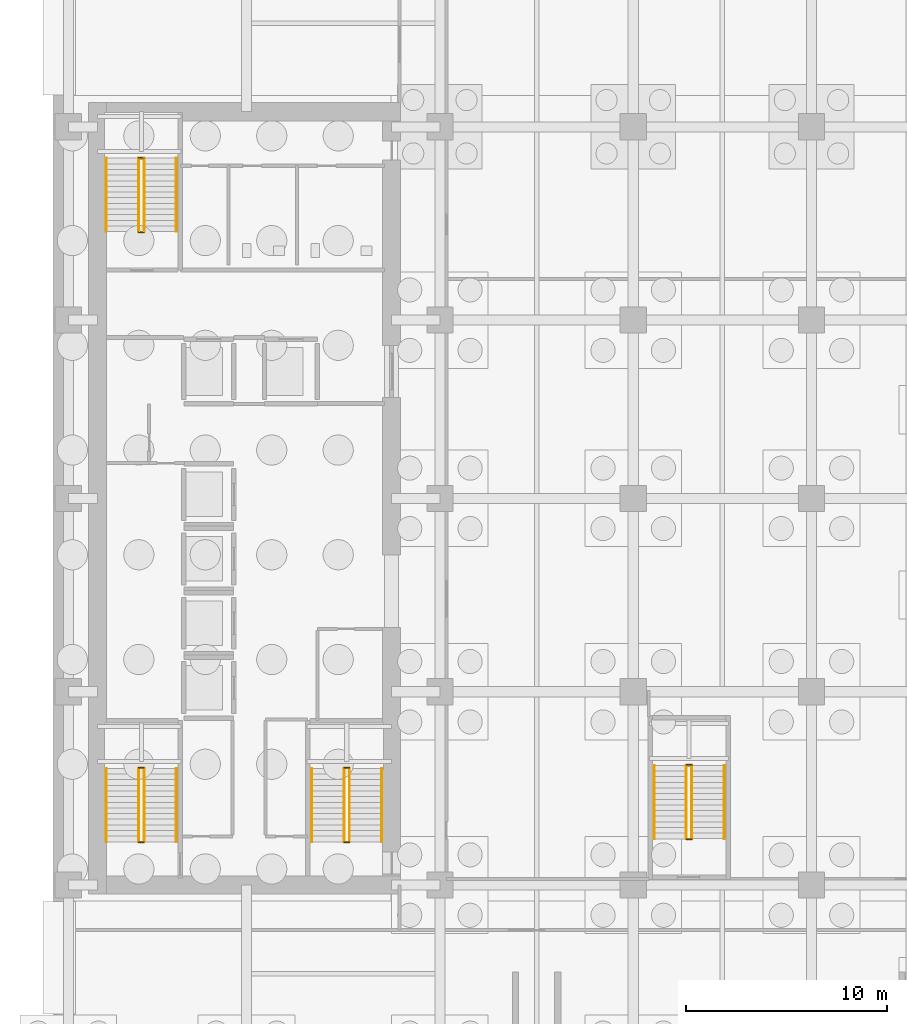
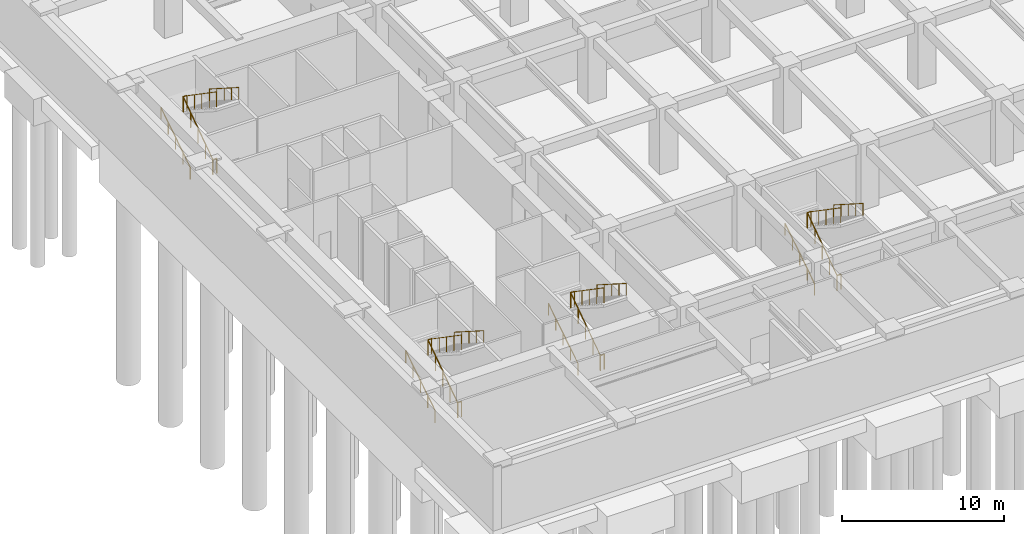
# One storey, part 16 of 20: 24 railings.
"""IFC4 building model written with IfcOpenShell, lengths in metres."""

from ifc_helpers import new_model, si_unit, direction, frame, origin, origin_2d, place, context, subcontext, project, spatial, circle, extrude, material, type_object, element, save


model = new_model("IFC4")

# Units and contexts
model_context = context("Model", 3, precision=1e-05, world=origin(), true_north=direction((0.0, 1.0)))
body_context = subcontext(model_context, "Body", "Model", "MODEL_VIEW")
ifc_project = project(units=[si_unit("LENGTHUNIT", "METRE"), si_unit("AREAUNIT", "SQUARE_METRE"), si_unit("VOLUMEUNIT", "CUBIC_METRE"), si_unit("PLANEANGLEUNIT", "RADIAN"), si_unit("MASSUNIT", "GRAM", prefix="KILO")], contexts=[model_context])

# Site, building, storey
site_placement = place(None, origin())
site = spatial("IfcSite", under=ifc_project, at=site_placement, CompositionType="ELEMENT")
building_placement = place(site_placement, origin())
building = spatial("IfcBuilding", under=site, at=building_placement, Name="Norrvale University Quadrangle", CompositionType="ELEMENT")
storey_placement = place(building_placement, frame((0.0, 0.0, -5.0)))
storey = spatial("IfcBuildingStorey", under=building, at=storey_placement, Name="B01", CompositionType="ELEMENT", Elevation=-5.0)

# Railings
ifc_material_1 = material(Name="Steel 350W Painted Balustrade", Category="steel")
railing_type_1 = type_object("IfcRailingType", Name="Railing Stair Guard 1100", PredefinedType="GUARDRAIL", material=ifc_material_1)
for number, where, name in (
    (1, (4.239990234375, 11.719970703125, 0.0), "Stair Floor Well Guard ST-01 B01"),
    (2, (4.239990234375, 15.419921875, 2.5), "Stair Mid-Landing Slot Guard ST-01 B01"),
):
    element("IfcRailing", number, at=place(storey_placement, frame(where)), inside=storey, type_object=railing_type_1, Name=name, PredefinedType="GUARDRAIL", context=body_context, shape_type="SweptSolid", body=[
        extrude(circle(Radius=0.02392578125, at=origin_2d()), frame((0.0, 0.0, 1.1259765625), z_axis=(1.0, 0.0, 0.0), x_axis=(0.0, 1.0, 0.0)), (0.0, 0.0, 1.0), 0.27001953125),
        extrude(circle(Radius=0.02099609375, at=origin_2d()), origin(), (0.0, 0.0, 1.0), 1.101806640625),
        extrude(circle(Radius=0.02099609375, at=origin_2d()), frame((0.27001953125, 0.0, 0.0)), (0.0, 0.0, 1.0), 1.101806640625),
    ])
railing_1_placement = place(storey_placement, frame((4.239990234375, 11.75, 0.0)))
element("IfcRailing", 3, at=railing_1_placement, inside=storey, type_object=railing_type_1, Name="Stair Lower Flight Inner Guard ST-01 B01", PredefinedType="GUARDRAIL", context=body_context, shape_type="SweptSolid", body=[
    extrude(circle(Radius=0.02392578125, at=origin_2d()), frame((0.0, 0.0, 1.1259765625), z_axis=(0.0, 0.824298337968, 0.566155676491), x_axis=(-1.0, 0.0, 0.0)), (0.0, 0.0, 1.0), 4.415771484375),
    extrude(circle(Radius=0.02099609375, at=origin_2d()), origin(), (0.0, 0.0, 1.0), 1.101806640625),
    extrude(circle(Radius=0.02099609375, at=origin_2d()), frame((0.0, 0.909912109375, 0.625)), (0.0, 0.0, 1.0), 1.101806640625),
    extrude(circle(Radius=0.02099609375, at=origin_2d()), frame((0.0, 1.81982421875, 1.25)), (0.0, 0.0, 1.0), 1.101806640625),
    extrude(circle(Radius=0.02099609375, at=origin_2d()), frame((0.0, 2.72998046875, 1.875)), (0.0, 0.0, 1.0), 1.101806640625),
    extrude(circle(Radius=0.02099609375, at=origin_2d()), frame((0.0, 3.639892578125, 2.5)), (0.0, 0.0, 1.0), 1.101806640625),
])
railing_2_placement = place(storey_placement, frame((4.510009765625, 15.389892578125, 2.5)))
element("IfcRailing", 4, at=railing_2_placement, inside=storey, type_object=railing_type_1, Name="Stair Upper Flight Inner Guard ST-01 B01", PredefinedType="GUARDRAIL", context=body_context, shape_type="SweptSolid", body=[
    extrude(circle(Radius=0.02392578125, at=origin_2d()), frame((0.0, 0.0, 1.1259765625), z_axis=(0.0, -0.824298337968, 0.566155676491), x_axis=(1.0, 0.0, 0.0)), (0.0, 0.0, 1.0), 4.415771484375),
    extrude(circle(Radius=0.02099609375, at=origin_2d()), origin(), (0.0, 0.0, 1.0), 1.101806640625),
    extrude(circle(Radius=0.02099609375, at=origin_2d()), frame((0.0, -0.909912109375, 0.625)), (0.0, 0.0, 1.0), 1.101806640625),
    extrude(circle(Radius=0.02099609375, at=origin_2d()), frame((0.0, -1.81982421875, 1.25)), (0.0, 0.0, 1.0), 1.101806640625),
    extrude(circle(Radius=0.02099609375, at=origin_2d()), frame((0.0, -2.72998046875, 1.875)), (0.0, 0.0, 1.0), 1.101806640625),
    extrude(circle(Radius=0.02099609375, at=origin_2d()), frame((0.0, -3.639892578125, 2.5)), (0.0, 0.0, 1.0), 1.101806640625),
])
for number, where, name in (
    (5, (4.239990234375, 42.02001953125, 0.0), "Stair Floor Well Guard ST-02 B01"),
    (6, (4.239990234375, 45.719970703125, 2.5), "Stair Mid-Landing Slot Guard ST-02 B01"),
):
    element("IfcRailing", number, at=place(storey_placement, frame(where)), inside=storey, type_object=railing_type_1, Name=name, PredefinedType="GUARDRAIL", context=body_context, shape_type="SweptSolid", body=[
        extrude(circle(Radius=0.02392578125, at=origin_2d()), frame((0.0, 0.0, 1.1259765625), z_axis=(1.0, 0.0, 0.0), x_axis=(0.0, 1.0, 0.0)), (0.0, 0.0, 1.0), 0.27001953125),
        extrude(circle(Radius=0.02099609375, at=origin_2d()), origin(), (0.0, 0.0, 1.0), 1.101806640625),
        extrude(circle(Radius=0.02099609375, at=origin_2d()), frame((0.27001953125, 0.0, 0.0)), (0.0, 0.0, 1.0), 1.101806640625),
    ])
railing_3_placement = place(storey_placement, frame((4.239990234375, 42.050048828125, 0.0)))
element("IfcRailing", 7, at=railing_3_placement, inside=storey, type_object=railing_type_1, Name="Stair Lower Flight Inner Guard ST-02 B01", PredefinedType="GUARDRAIL", context=body_context, shape_type="SweptSolid", body=[
    extrude(circle(Radius=0.02392578125, at=origin_2d()), frame((0.0, 0.0, 1.1259765625), z_axis=(0.0, 0.824298337968, 0.566155676491), x_axis=(-1.0, 0.0, 0.0)), (0.0, 0.0, 1.0), 4.415771484375),
    extrude(circle(Radius=0.02099609375, at=origin_2d()), origin(), (0.0, 0.0, 1.0), 1.101806640625),
    extrude(circle(Radius=0.02099609375, at=origin_2d()), frame((0.0, 0.909912109375, 0.625)), (0.0, 0.0, 1.0), 1.101806640625),
    extrude(circle(Radius=0.02099609375, at=origin_2d()), frame((0.0, 1.81982421875, 1.25)), (0.0, 0.0, 1.0), 1.101806640625),
    extrude(circle(Radius=0.02099609375, at=origin_2d()), frame((0.0, 2.72998046875, 1.875)), (0.0, 0.0, 1.0), 1.101806640625),
    extrude(circle(Radius=0.02099609375, at=origin_2d()), frame((0.0, 3.639892578125, 2.5)), (0.0, 0.0, 1.0), 1.101806640625),
])
railing_4_placement = place(storey_placement, frame((4.510009765625, 45.68994140625, 2.5)))
element("IfcRailing", 8, at=railing_4_placement, inside=storey, type_object=railing_type_1, Name="Stair Upper Flight Inner Guard ST-02 B01", PredefinedType="GUARDRAIL", context=body_context, shape_type="SweptSolid", body=[
    extrude(circle(Radius=0.02392578125, at=origin_2d()), frame((0.0, 0.0, 1.1259765625), z_axis=(0.0, -0.824298337968, 0.566155676491), x_axis=(1.0, 0.0, 0.0)), (0.0, 0.0, 1.0), 4.415771484375),
    extrude(circle(Radius=0.02099609375, at=origin_2d()), origin(), (0.0, 0.0, 1.0), 1.101806640625),
    extrude(circle(Radius=0.02099609375, at=origin_2d()), frame((0.0, -0.909912109375, 0.625)), (0.0, 0.0, 1.0), 1.101806640625),
    extrude(circle(Radius=0.02099609375, at=origin_2d()), frame((0.0, -1.81982421875, 1.25)), (0.0, 0.0, 1.0), 1.101806640625),
    extrude(circle(Radius=0.02099609375, at=origin_2d()), frame((0.0, -2.72998046875, 1.875)), (0.0, 0.0, 1.0), 1.101806640625),
    extrude(circle(Radius=0.02099609375, at=origin_2d()), frame((0.0, -3.639892578125, 2.5)), (0.0, 0.0, 1.0), 1.101806640625),
])
for number, where, name in (
    (9, (14.43994140625, 11.719970703125, 0.0), "Stair Floor Well Guard ST-03 B01"),
    (10, (14.43994140625, 15.419921875, 2.5), "Stair Mid-Landing Slot Guard ST-03 B01"),
):
    element("IfcRailing", number, at=place(storey_placement, frame(where)), inside=storey, type_object=railing_type_1, Name=name, PredefinedType="GUARDRAIL", context=body_context, shape_type="SweptSolid", body=[
        extrude(circle(Radius=0.02392578125, at=origin_2d()), frame((0.0, 0.0, 1.1259765625), z_axis=(1.0, 0.0, 0.0), x_axis=(0.0, 1.0, 0.0)), (0.0, 0.0, 1.0), 0.27001953125),
        extrude(circle(Radius=0.02099609375, at=origin_2d()), origin(), (0.0, 0.0, 1.0), 1.101806640625),
        extrude(circle(Radius=0.02099609375, at=origin_2d()), frame((0.27001953125, 0.0, 0.0)), (0.0, 0.0, 1.0), 1.101806640625),
    ])
railing_5_placement = place(storey_placement, frame((14.43994140625, 11.75, 0.0)))
element("IfcRailing", 11, at=railing_5_placement, inside=storey, type_object=railing_type_1, Name="Stair Lower Flight Inner Guard ST-03 B01", PredefinedType="GUARDRAIL", context=body_context, shape_type="SweptSolid", body=[
    extrude(circle(Radius=0.02392578125, at=origin_2d()), frame((0.0, 0.0, 1.1259765625), z_axis=(0.0, 0.824298337968, 0.566155676491), x_axis=(-1.0, 0.0, 0.0)), (0.0, 0.0, 1.0), 4.415771484375),
    extrude(circle(Radius=0.02099609375, at=origin_2d()), origin(), (0.0, 0.0, 1.0), 1.101806640625),
    extrude(circle(Radius=0.02099609375, at=origin_2d()), frame((0.0, 0.909912109375, 0.625)), (0.0, 0.0, 1.0), 1.101806640625),
    extrude(circle(Radius=0.02099609375, at=origin_2d()), frame((0.0, 1.81982421875, 1.25)), (0.0, 0.0, 1.0), 1.101806640625),
    extrude(circle(Radius=0.02099609375, at=origin_2d()), frame((0.0, 2.72998046875, 1.875)), (0.0, 0.0, 1.0), 1.101806640625),
    extrude(circle(Radius=0.02099609375, at=origin_2d()), frame((0.0, 3.639892578125, 2.5)), (0.0, 0.0, 1.0), 1.101806640625),
])
railing_6_placement = place(storey_placement, frame((14.7099609375, 15.389892578125, 2.5)))
element("IfcRailing", 12, at=railing_6_placement, inside=storey, type_object=railing_type_1, Name="Stair Upper Flight Inner Guard ST-03 B01", PredefinedType="GUARDRAIL", context=body_context, shape_type="SweptSolid", body=[
    extrude(circle(Radius=0.02392578125, at=origin_2d()), frame((0.0, 0.0, 1.1259765625), z_axis=(0.0, -0.824298337968, 0.566155676491), x_axis=(1.0, 0.0, 0.0)), (0.0, 0.0, 1.0), 4.415771484375),
    extrude(circle(Radius=0.02099609375, at=origin_2d()), origin(), (0.0, 0.0, 1.0), 1.101806640625),
    extrude(circle(Radius=0.02099609375, at=origin_2d()), frame((0.0, -0.909912109375, 0.625)), (0.0, 0.0, 1.0), 1.101806640625),
    extrude(circle(Radius=0.02099609375, at=origin_2d()), frame((0.0, -1.81982421875, 1.25)), (0.0, 0.0, 1.0), 1.101806640625),
    extrude(circle(Radius=0.02099609375, at=origin_2d()), frame((0.0, -2.72998046875, 1.875)), (0.0, 0.0, 1.0), 1.101806640625),
    extrude(circle(Radius=0.02099609375, at=origin_2d()), frame((0.0, -3.639892578125, 2.5)), (0.0, 0.0, 1.0), 1.101806640625),
])
for number, where, name in (
    (13, (31.43994140625, 11.8701171875, 0.0), "Stair Floor Well Guard ST-04 B01"),
    (14, (31.43994140625, 15.570068359375, 2.5), "Stair Mid-Landing Slot Guard ST-04 B01"),
):
    element("IfcRailing", number, at=place(storey_placement, frame(where)), inside=storey, type_object=railing_type_1, Name=name, PredefinedType="GUARDRAIL", context=body_context, shape_type="SweptSolid", body=[
        extrude(circle(Radius=0.02392578125, at=origin_2d()), frame((0.0, 0.0, 1.1259765625), z_axis=(1.0, 0.0, 0.0), x_axis=(0.0, 1.0, 0.0)), (0.0, 0.0, 1.0), 0.27001953125),
        extrude(circle(Radius=0.02099609375, at=origin_2d()), origin(), (0.0, 0.0, 1.0), 1.101806640625),
        extrude(circle(Radius=0.02099609375, at=origin_2d()), frame((0.27001953125, 0.0, 0.0)), (0.0, 0.0, 1.0), 1.101806640625),
    ])
railing_7_placement = place(storey_placement, frame((31.43994140625, 11.89990234375, 0.0)))
element("IfcRailing", 15, at=railing_7_placement, inside=storey, type_object=railing_type_1, Name="Stair Lower Flight Inner Guard ST-04 B01", PredefinedType="GUARDRAIL", context=body_context, shape_type="SweptSolid", body=[
    extrude(circle(Radius=0.02392578125, at=origin_2d()), frame((0.0, 0.0, 1.1259765625), z_axis=(0.0, 0.824316058549, 0.566129875221), x_axis=(-1.0, 0.0, 0.0)), (0.0, 0.0, 1.0), 4.416015625),
    extrude(circle(Radius=0.02099609375, at=origin_2d()), origin(), (0.0, 0.0, 1.0), 1.101806640625),
    extrude(circle(Radius=0.02099609375, at=origin_2d()), frame((0.0, 0.91015625, 0.625)), (0.0, 0.0, 1.0), 1.101806640625),
    extrude(circle(Radius=0.02099609375, at=origin_2d()), frame((0.0, 1.820068359375, 1.25)), (0.0, 0.0, 1.0), 1.101806640625),
    extrude(circle(Radius=0.02099609375, at=origin_2d()), frame((0.0, 2.72998046875, 1.875)), (0.0, 0.0, 1.0), 1.101806640625),
    extrude(circle(Radius=0.02099609375, at=origin_2d()), frame((0.0, 3.64013671875, 2.5)), (0.0, 0.0, 1.0), 1.101806640625),
])
railing_8_placement = place(storey_placement, frame((31.7099609375, 15.5400390625, 2.5)))
element("IfcRailing", 16, at=railing_8_placement, inside=storey, type_object=railing_type_1, Name="Stair Upper Flight Inner Guard ST-04 B01", PredefinedType="GUARDRAIL", context=body_context, shape_type="SweptSolid", body=[
    extrude(circle(Radius=0.02392578125, at=origin_2d()), frame((0.0, 0.0, 1.1259765625), z_axis=(0.0, -0.824316058549, 0.566129875221), x_axis=(1.0, 0.0, 0.0)), (0.0, 0.0, 1.0), 4.416015625),
    extrude(circle(Radius=0.02099609375, at=origin_2d()), origin(), (0.0, 0.0, 1.0), 1.101806640625),
    extrude(circle(Radius=0.02099609375, at=origin_2d()), frame((0.0, -0.91015625, 0.625)), (0.0, 0.0, 1.0), 1.101806640625),
    extrude(circle(Radius=0.02099609375, at=origin_2d()), frame((0.0, -1.820068359375, 1.25)), (0.0, 0.0, 1.0), 1.101806640625),
    extrude(circle(Radius=0.02099609375, at=origin_2d()), frame((0.0, -2.72998046875, 1.875)), (0.0, 0.0, 1.0), 1.101806640625),
    extrude(circle(Radius=0.02099609375, at=origin_2d()), frame((0.0, -3.64013671875, 2.5)), (0.0, 0.0, 1.0), 1.101806640625),
])
ifc_material_2 = material(Name="Stainless Steel 316L Handrail", Category="steel")
railing_type_2 = type_object("IfcRailingType", Name="Railing Stair Handrail 920", PredefinedType="HANDRAIL", material=ifc_material_2)
railing_9_placement = place(storey_placement, frame((2.639892578125, 11.75, 0.1787109375)))
element("IfcRailing", 17, at=railing_9_placement, inside=storey, type_object=railing_type_2, Name="Stair Lower Flight Handrail ST-01 B01", PredefinedType="HANDRAIL", context=body_context, shape_type="SweptSolid", body=[
    extrude(circle(Radius=0.02392578125, at=origin_2d()), frame((0.0, 0.0, 0.89599609375), z_axis=(0.0, 0.843137146238, 0.537698570422), x_axis=(-1.0, 0.0, 0.0)), (0.0, 0.0, 1.0), 4.317138671875),
    extrude(circle(Radius=0.02099609375, at=origin_2d()), origin(), (0.0, 0.0, 1.0), 0.871826171875),
    extrude(circle(Radius=0.02099609375, at=origin_2d()), frame((0.0, 0.909912109375, 0.580322265625)), (0.0, 0.0, 1.0), 0.871826171875),
    extrude(circle(Radius=0.02099609375, at=origin_2d()), frame((0.0, 1.81982421875, 1.16064453125)), (0.0, 0.0, 1.0), 0.871826171875),
    extrude(circle(Radius=0.02099609375, at=origin_2d()), frame((0.0, 2.72998046875, 1.740966796875)), (0.0, 0.0, 1.0), 0.871826171875),
    extrude(circle(Radius=0.02099609375, at=origin_2d()), frame((0.0, 3.639892578125, 2.3212890625)), (0.0, 0.0, 1.0), 0.871826171875),
])
railing_10_placement = place(storey_placement, frame((6.110107421875, 15.389892578125, 2.6787109375)))
element("IfcRailing", 18, at=railing_10_placement, inside=storey, type_object=railing_type_2, Name="Stair Upper Flight Handrail ST-01 B01", PredefinedType="HANDRAIL", context=body_context, shape_type="SweptSolid", body=[
    extrude(circle(Radius=0.02392578125, at=origin_2d()), frame((0.0, 0.0, 0.89599609375), z_axis=(0.0, -0.843137146238, 0.537698570422), x_axis=(1.0, 0.0, 0.0)), (0.0, 0.0, 1.0), 4.317138671875),
    extrude(circle(Radius=0.02099609375, at=origin_2d()), origin(), (0.0, 0.0, 1.0), 0.871826171875),
    extrude(circle(Radius=0.02099609375, at=origin_2d()), frame((0.0, -0.909912109375, 0.580322265625)), (0.0, 0.0, 1.0), 0.871826171875),
    extrude(circle(Radius=0.02099609375, at=origin_2d()), frame((0.0, -1.81982421875, 1.16064453125)), (0.0, 0.0, 1.0), 0.871826171875),
    extrude(circle(Radius=0.02099609375, at=origin_2d()), frame((0.0, -2.72998046875, 1.740966796875)), (0.0, 0.0, 1.0), 0.871826171875),
    extrude(circle(Radius=0.02099609375, at=origin_2d()), frame((0.0, -3.639892578125, 2.3212890625)), (0.0, 0.0, 1.0), 0.871826171875),
])
railing_11_placement = place(storey_placement, frame((2.639892578125, 42.050048828125, 0.1787109375)))
element("IfcRailing", 19, at=railing_11_placement, inside=storey, type_object=railing_type_2, Name="Stair Lower Flight Handrail ST-02 B01", PredefinedType="HANDRAIL", context=body_context, shape_type="SweptSolid", body=[
    extrude(circle(Radius=0.02392578125, at=origin_2d()), frame((0.0, 0.0, 0.89599609375), z_axis=(0.0, 0.843137146238, 0.537698570422), x_axis=(-1.0, 0.0, 0.0)), (0.0, 0.0, 1.0), 4.317138671875),
    extrude(circle(Radius=0.02099609375, at=origin_2d()), origin(), (0.0, 0.0, 1.0), 0.871826171875),
    extrude(circle(Radius=0.02099609375, at=origin_2d()), frame((0.0, 0.909912109375, 0.580322265625)), (0.0, 0.0, 1.0), 0.871826171875),
    extrude(circle(Radius=0.02099609375, at=origin_2d()), frame((0.0, 1.81982421875, 1.16064453125)), (0.0, 0.0, 1.0), 0.871826171875),
    extrude(circle(Radius=0.02099609375, at=origin_2d()), frame((0.0, 2.72998046875, 1.740966796875)), (0.0, 0.0, 1.0), 0.871826171875),
    extrude(circle(Radius=0.02099609375, at=origin_2d()), frame((0.0, 3.639892578125, 2.3212890625)), (0.0, 0.0, 1.0), 0.871826171875),
])
railing_12_placement = place(storey_placement, frame((6.110107421875, 45.68994140625, 2.6787109375)))
element("IfcRailing", 20, at=railing_12_placement, inside=storey, type_object=railing_type_2, Name="Stair Upper Flight Handrail ST-02 B01", PredefinedType="HANDRAIL", context=body_context, shape_type="SweptSolid", body=[
    extrude(circle(Radius=0.02392578125, at=origin_2d()), frame((0.0, 0.0, 0.89599609375), z_axis=(0.0, -0.843137146238, 0.537698570422), x_axis=(1.0, 0.0, 0.0)), (0.0, 0.0, 1.0), 4.317138671875),
    extrude(circle(Radius=0.02099609375, at=origin_2d()), origin(), (0.0, 0.0, 1.0), 0.871826171875),
    extrude(circle(Radius=0.02099609375, at=origin_2d()), frame((0.0, -0.909912109375, 0.580322265625)), (0.0, 0.0, 1.0), 0.871826171875),
    extrude(circle(Radius=0.02099609375, at=origin_2d()), frame((0.0, -1.81982421875, 1.16064453125)), (0.0, 0.0, 1.0), 0.871826171875),
    extrude(circle(Radius=0.02099609375, at=origin_2d()), frame((0.0, -2.72998046875, 1.740966796875)), (0.0, 0.0, 1.0), 0.871826171875),
    extrude(circle(Radius=0.02099609375, at=origin_2d()), frame((0.0, -3.639892578125, 2.3212890625)), (0.0, 0.0, 1.0), 0.871826171875),
])
railing_13_placement = place(storey_placement, frame((12.840087890625, 11.75, 0.1787109375)))
element("IfcRailing", 21, at=railing_13_placement, inside=storey, type_object=railing_type_2, Name="Stair Lower Flight Handrail ST-03 B01", PredefinedType="HANDRAIL", context=body_context, shape_type="SweptSolid", body=[
    extrude(circle(Radius=0.02392578125, at=origin_2d()), frame((0.0, 0.0, 0.89599609375), z_axis=(0.0, 0.843137146238, 0.537698570422), x_axis=(-1.0, 0.0, 0.0)), (0.0, 0.0, 1.0), 4.317138671875),
    extrude(circle(Radius=0.02099609375, at=origin_2d()), origin(), (0.0, 0.0, 1.0), 0.871826171875),
    extrude(circle(Radius=0.02099609375, at=origin_2d()), frame((0.0, 0.909912109375, 0.580322265625)), (0.0, 0.0, 1.0), 0.871826171875),
    extrude(circle(Radius=0.02099609375, at=origin_2d()), frame((0.0, 1.81982421875, 1.16064453125)), (0.0, 0.0, 1.0), 0.871826171875),
    extrude(circle(Radius=0.02099609375, at=origin_2d()), frame((0.0, 2.72998046875, 1.740966796875)), (0.0, 0.0, 1.0), 0.871826171875),
    extrude(circle(Radius=0.02099609375, at=origin_2d()), frame((0.0, 3.639892578125, 2.3212890625)), (0.0, 0.0, 1.0), 0.871826171875),
])
railing_14_placement = place(storey_placement, frame((16.31005859375, 15.389892578125, 2.6787109375)))
element("IfcRailing", 22, at=railing_14_placement, inside=storey, type_object=railing_type_2, Name="Stair Upper Flight Handrail ST-03 B01", PredefinedType="HANDRAIL", context=body_context, shape_type="SweptSolid", body=[
    extrude(circle(Radius=0.02392578125, at=origin_2d()), frame((0.0, 0.0, 0.89599609375), z_axis=(0.0, -0.843137146238, 0.537698570422), x_axis=(1.0, 0.0, 0.0)), (0.0, 0.0, 1.0), 4.317138671875),
    extrude(circle(Radius=0.02099609375, at=origin_2d()), origin(), (0.0, 0.0, 1.0), 0.871826171875),
    extrude(circle(Radius=0.02099609375, at=origin_2d()), frame((0.0, -0.909912109375, 0.580322265625)), (0.0, 0.0, 1.0), 0.871826171875),
    extrude(circle(Radius=0.02099609375, at=origin_2d()), frame((0.0, -1.81982421875, 1.16064453125)), (0.0, 0.0, 1.0), 0.871826171875),
    extrude(circle(Radius=0.02099609375, at=origin_2d()), frame((0.0, -2.72998046875, 1.740966796875)), (0.0, 0.0, 1.0), 0.871826171875),
    extrude(circle(Radius=0.02099609375, at=origin_2d()), frame((0.0, -3.639892578125, 2.3212890625)), (0.0, 0.0, 1.0), 0.871826171875),
])
railing_15_placement = place(storey_placement, frame((29.840087890625, 11.89990234375, 0.1787109375)))
element("IfcRailing", 23, at=railing_15_placement, inside=storey, type_object=railing_type_2, Name="Stair Lower Flight Handrail ST-04 B01", PredefinedType="HANDRAIL", context=body_context, shape_type="SweptSolid", body=[
    extrude(circle(Radius=0.02392578125, at=origin_2d()), frame((0.0, 0.0, 0.89599609375), z_axis=(0.0, 0.843153495434, 0.537672933239), x_axis=(-1.0, 0.0, 0.0)), (0.0, 0.0, 1.0), 4.3173828125),
    extrude(circle(Radius=0.02099609375, at=origin_2d()), origin(), (0.0, 0.0, 1.0), 0.871826171875),
    extrude(circle(Radius=0.02099609375, at=origin_2d()), frame((0.0, 0.91015625, 0.580322265625)), (0.0, 0.0, 1.0), 0.871826171875),
    extrude(circle(Radius=0.02099609375, at=origin_2d()), frame((0.0, 1.820068359375, 1.16064453125)), (0.0, 0.0, 1.0), 0.871826171875),
    extrude(circle(Radius=0.02099609375, at=origin_2d()), frame((0.0, 2.72998046875, 1.740966796875)), (0.0, 0.0, 1.0), 0.871826171875),
    extrude(circle(Radius=0.02099609375, at=origin_2d()), frame((0.0, 3.64013671875, 2.3212890625)), (0.0, 0.0, 1.0), 0.871826171875),
])
railing_16_placement = place(storey_placement, frame((33.31005859375, 15.5400390625, 2.6787109375)))
element("IfcRailing", 24, at=railing_16_placement, inside=storey, type_object=railing_type_2, Name="Stair Upper Flight Handrail ST-04 B01", PredefinedType="HANDRAIL", context=body_context, shape_type="SweptSolid", body=[
    extrude(circle(Radius=0.02392578125, at=origin_2d()), frame((0.0, 0.0, 0.89599609375), z_axis=(0.0, -0.843153495434, 0.537672933239), x_axis=(1.0, 0.0, 0.0)), (0.0, 0.0, 1.0), 4.3173828125),
    extrude(circle(Radius=0.02099609375, at=origin_2d()), origin(), (0.0, 0.0, 1.0), 0.871826171875),
    extrude(circle(Radius=0.02099609375, at=origin_2d()), frame((0.0, -0.91015625, 0.580322265625)), (0.0, 0.0, 1.0), 0.871826171875),
    extrude(circle(Radius=0.02099609375, at=origin_2d()), frame((0.0, -1.820068359375, 1.16064453125)), (0.0, 0.0, 1.0), 0.871826171875),
    extrude(circle(Radius=0.02099609375, at=origin_2d()), frame((0.0, -2.72998046875, 1.740966796875)), (0.0, 0.0, 1.0), 0.871826171875),
    extrude(circle(Radius=0.02099609375, at=origin_2d()), frame((0.0, -3.64013671875, 2.3212890625)), (0.0, 0.0, 1.0), 0.871826171875),
])

save(model, "model.ifc")
